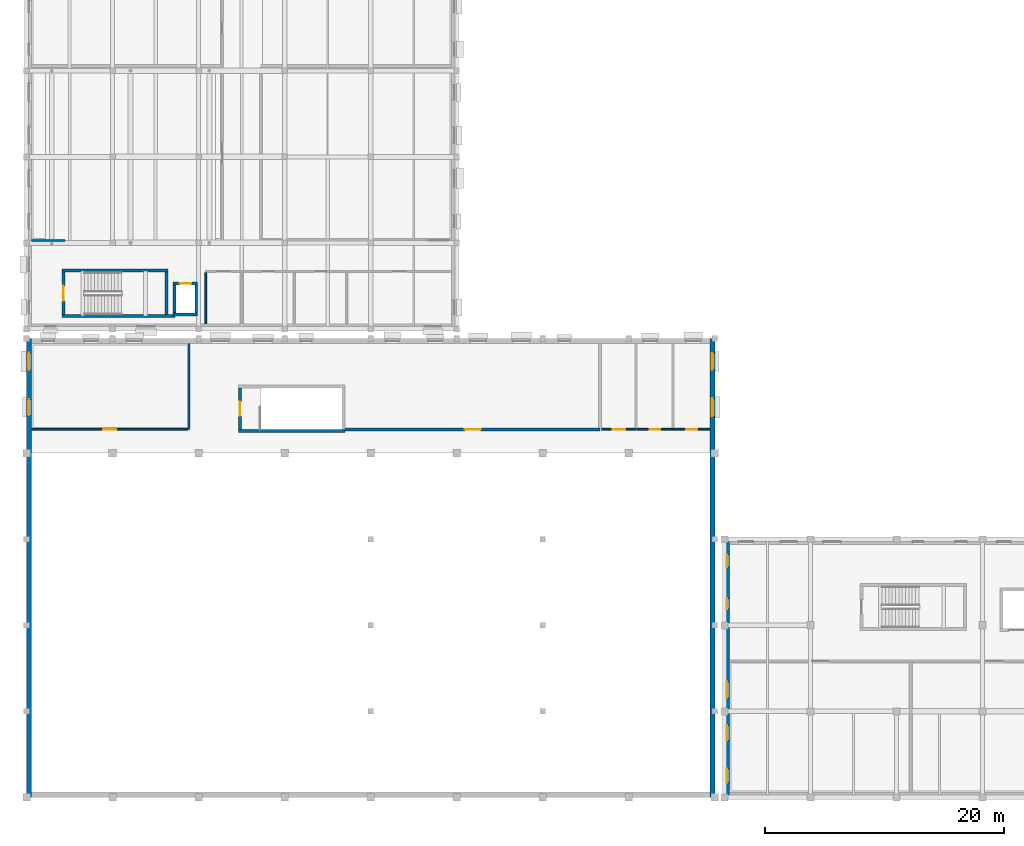
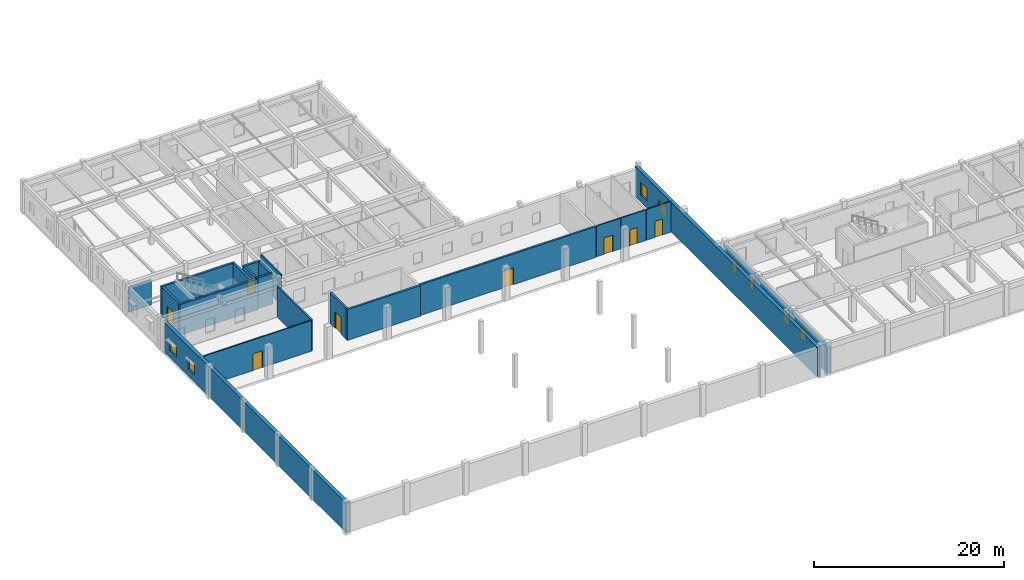
# One storey, part 26 of 49: 21 walls, 9 windows, 8 doors, 17 openings.
"""IFC4 building model written with IfcOpenShell, lengths in metres."""

from ifc_helpers import new_model, si_unit, direction, frame, frame_2d, origin, place, context, subcontext, project, spatial, rectangle, extrude, material, layer, layer_set, type_object, element, fill, save


model = new_model("IFC4")

# Units and contexts
model_context = context("Model", 3, precision=1e-05, world=origin(), true_north=direction((0.0, 1.0)))
body_context = subcontext(model_context, "Body", "Model", "MODEL_VIEW")
ifc_project = project(units=[si_unit("LENGTHUNIT", "METRE"), si_unit("AREAUNIT", "SQUARE_METRE"), si_unit("VOLUMEUNIT", "CUBIC_METRE"), si_unit("PLANEANGLEUNIT", "RADIAN"), si_unit("MASSUNIT", "GRAM", prefix="KILO")], contexts=[model_context])

# Site, building, storey
site_placement = place(None, origin())
site = spatial("IfcSite", under=ifc_project, at=site_placement, CompositionType="ELEMENT")
building_placement = place(site_placement, origin())
building = spatial("IfcBuilding", under=site, at=building_placement, Name="Bramveld Media Centre", CompositionType="ELEMENT")
storey_placement = place(building_placement, frame((0.0, 0.0, 9.60009765625)))
storey = spatial("IfcBuildingStorey", under=building, at=storey_placement, Name="L02", CompositionType="ELEMENT", Elevation=9.60009765625)

# Walls
ifc_material_1 = material(Name="Concrete C40/50 stair & lift core wall", Category="concrete")
ifc_layer_1 = layer(ifc_material_1, 0.25)
ifc_layer_set_1 = layer_set([ifc_layer_1], Name="Concrete C40/50 stair & lift core wall")
wall_type_1 = type_object("IfcWallType", Name="CWALL-SHEAR-250", PredefinedType="SHEAR", material=ifc_layer_set_1)
wall_1_placement = place(storey_placement, frame((2.949951171875, 40.27490234375, 0.0), z_axis=(0.0, 0.0, 1.0), x_axis=(1.0, 0.0, 0.0)))
element("IfcWall", 1, at=wall_1_placement, inside=storey, type_object=wall_type_1, Name="ST-04 L02 stair core shear wall S", PredefinedType="SHEAR", context=body_context, shape_type="SweptSolid", body=[
    extrude(rectangle(XDim=9.469970703125, YDim=0.25, at=frame_2d((4.73486328125, 0.0))), origin(), (0.0, 0.0, 1.0), 3.949951171875),
])
wall_2_placement = place(storey_placement, frame((11.85009765625, 44.074951171875, 0.0), z_axis=(0.0, 0.0, 1.0), x_axis=(-1.0, 0.0, 0.0)))
element("IfcWall", 2, at=wall_2_placement, inside=storey, type_object=wall_type_1, Name="ST-04 L02 stair core shear wall N", PredefinedType="SHEAR", context=body_context, shape_type="SweptSolid", body=[
    extrude(rectangle(XDim=8.900146484375, YDim=0.25, at=frame_2d((4.4501953125, 0.0))), origin(), (0.0, 0.0, 1.0), 3.949951171875),
])

# Wall, opening, door
wall_3_placement = place(storey_placement, frame((3.074951171875, 43.949951171875, 0.0), z_axis=(0.0, 0.0, 1.0), x_axis=(0.0, -1.0, 0.0)))
wall_3 = element("IfcWall", 3, at=wall_3_placement, inside=storey, type_object=wall_type_1, Name="ST-04 L02 stair core shear wall W", PredefinedType="SHEAR", context=body_context, shape_type="SweptSolid", body=[
    extrude(rectangle(XDim=3.550048828125, YDim=0.25, at=frame_2d((1.77490234375, 0.0))), origin(), (0.0, 0.0, 1.0), 3.949951171875),
])
opening_1_placement = place(wall_3_placement, frame((1.14990234375, 0.0, 0.0)))
opening_1 = element("IfcOpeningElement", 4, at=opening_1_placement, cuts=wall_3, Name="Opening SD-04-L02", PredefinedType="OPENING", context=body_context, shape_type="SweptSolid", body=[
    extrude(rectangle(XDim=1.25, YDim=2.14990234375, at=frame_2d((0.625, 1.074951171875))), frame((0.0, 0.136962890625, 0.0), z_axis=(0.0, -1.0, 0.0), x_axis=(1.0, 0.0, 0.0)), (0.0, 0.0, 1.0), 0.27392578125),
])
ifc_material_2 = material(Name="Painted galvanized steel acoustic fire door with intumescent smoke seals", Category="steel")
door_type_1 = type_object("IfcDoorType", Name="DR-ST-1250", OperationType="NOTDEFINED", PredefinedType="DOOR", material=ifc_material_2)
door_1_placement = place(opening_1_placement, origin())
door_1 = element("IfcDoor", 5, at=door_1_placement, inside=storey, type_object=door_type_1, Name="ST-04 L02 pressurized stair fire door", OperationType="SINGLE_SWING_RIGHT", OverallHeight=2.14990234375, OverallWidth=1.25, PredefinedType="DOOR", context=body_context, shape_type="SweptSolid", body=[
    extrude(rectangle(XDim=1.25, YDim=2.14990234375, at=frame_2d((0.625, 1.074951171875))), frame((0.0, 0.02490234375, 0.0), z_axis=(0.0, -1.0, 0.0), x_axis=(1.0, 0.0, 0.0)), (0.0, 0.0, 1.0), 0.050048828125),
])
fill(opening_1, door_1)

# Walls
wall_4_placement = place(storey_placement, frame((11.72509765625, 40.39990234375, 0.0), z_axis=(0.0, 0.0, 1.0), x_axis=(0.0, 1.0, 0.0)))
element("IfcWall", 6, at=wall_4_placement, inside=storey, type_object=wall_type_1, Name="ST-04 L02 stair core shear wall E", PredefinedType="SHEAR", context=body_context, shape_type="SweptSolid", body=[
    extrude(rectangle(XDim=3.550048828125, YDim=0.25, at=frame_2d((1.77490234375, 0.0))), origin(), (0.0, 0.0, 1.0), 3.949951171875),
])
wall_5_placement = place(storey_placement, frame((17.75, 30.675048828125, 0.0), z_axis=(0.0, 0.0, 1.0), x_axis=(1.0, 0.0, 0.0)))
element("IfcWall", 7, at=wall_5_placement, inside=storey, type_object=wall_type_1, Name="ST-05 L02 stair core shear wall S", PredefinedType="SHEAR", context=body_context, shape_type="SweptSolid", body=[
    extrude(rectangle(XDim=8.89990234375, YDim=0.25, at=frame_2d((4.449951171875, 0.0))), origin(), (0.0, 0.0, 1.0), 3.949951171875),
])

# Wall, opening, door
wall_6_placement = place(storey_placement, frame((17.875, 34.25, 0.0), z_axis=(0.0, 0.0, 1.0), x_axis=(0.0, -1.0, 0.0)))
wall_6 = element("IfcWall", 8, at=wall_6_placement, inside=storey, type_object=wall_type_1, Name="ST-05 L02 stair core shear wall W", PredefinedType="SHEAR", context=body_context, shape_type="SweptSolid", body=[
    extrude(rectangle(XDim=3.449951171875, YDim=0.25, at=frame_2d((1.72509765625, 0.0))), origin(), (0.0, 0.0, 1.0), 3.949951171875),
])
opening_2_placement = place(wall_6_placement, frame((1.125, 0.0, 0.0)))
opening_2 = element("IfcOpeningElement", 9, at=opening_2_placement, cuts=wall_6, Name="Opening SD-05-L02", PredefinedType="OPENING", context=body_context, shape_type="SweptSolid", body=[
    extrude(rectangle(XDim=1.199951171875, YDim=2.14990234375, at=frame_2d((0.60009765625, 1.074951171875))), frame((0.0, 0.136962890625, 0.0), z_axis=(0.0, -1.0, 0.0), x_axis=(1.0, 0.0, 0.0)), (0.0, 0.0, 1.0), 0.27392578125),
])
ifc_material_3 = material(Name="Painted galvanized steel acoustic fire door with intumescent smoke seals", Category="steel")
door_type_2 = type_object("IfcDoorType", Name="DR-ST-1200", OperationType="NOTDEFINED", PredefinedType="DOOR", material=ifc_material_3)
door_2_placement = place(opening_2_placement, origin())
door_2 = element("IfcDoor", 10, at=door_2_placement, inside=storey, type_object=door_type_2, Name="ST-05 L02 pressurized stair fire door", OperationType="SINGLE_SWING_LEFT", OverallHeight=2.14990234375, OverallWidth=1.199951171875, PredefinedType="DOOR", context=body_context, shape_type="SweptSolid", body=[
    extrude(rectangle(XDim=1.199951171875, YDim=2.14990234375, at=frame_2d((0.60009765625, 1.074951171875))), frame((0.0, 0.02490234375, 0.0), z_axis=(0.0, -1.0, 0.0), x_axis=(1.0, 0.0, 0.0)), (0.0, 0.0, 1.0), 0.050048828125),
])
fill(opening_2, door_2)

# Wall
wall_7_placement = place(storey_placement, frame((12.27490234375, 40.39990234375, 0.0), z_axis=(0.0, 0.0, 1.0), x_axis=(1.0, 0.0, 0.0)))
element("IfcWall", 11, at=wall_7_placement, inside=storey, type_object=wall_type_1, Name="PL-05 L02 lift shaft wall S", PredefinedType="SHEAR", context=body_context, shape_type="SweptSolid", body=[
    extrude(rectangle(XDim=2.050048828125, YDim=0.25, at=frame_2d((1.02490234375, 0.0))), origin(), (0.0, 0.0, 1.0), 3.949951171875),
])

# Wall, opening, door
wall_8_placement = place(storey_placement, frame((14.324951171875, 43.0, 0.0), z_axis=(0.0, 0.0, 1.0), x_axis=(-1.0, 0.0, 0.0)))
wall_8 = element("IfcWall", 12, at=wall_8_placement, inside=storey, type_object=wall_type_1, Name="PL-05 L02 lift shaft wall N", PredefinedType="SHEAR", context=body_context, shape_type="SweptSolid", body=[
    extrude(rectangle(XDim=2.050048828125, YDim=0.25, at=frame_2d((1.02490234375, 0.0))), origin(), (0.0, 0.0, 1.0), 3.949951171875),
])
opening_3_placement = place(wall_8_placement, frame((0.550048828125, 0.0, 0.0)))
opening_3 = element("IfcOpeningElement", 13, at=opening_3_placement, cuts=wall_8, Name="Opening LD-03-05-L02", PredefinedType="OPENING", context=body_context, shape_type="SweptSolid", body=[
    extrude(rectangle(XDim=0.949951171875, YDim=2.10009765625, at=frame_2d((0.47509765625, 1.050048828125))), frame((0.0, 0.136962890625, 0.0), z_axis=(0.0, -1.0, 0.0), x_axis=(1.0, 0.0, 0.0)), (0.0, 0.0, 1.0), 0.27392578125),
])
ifc_material_4 = material(Name="Brushed stainless steel automatic fire-rated sliding lift landing door", Category="steel")
door_type_3 = type_object("IfcDoorType", Name="LD-TYPE-03", OperationType="SLIDING_TO_LEFT", PredefinedType="DOOR", material=ifc_material_4)
door_3_placement = place(opening_3_placement, origin())
door_3 = element("IfcDoor", 14, at=door_3_placement, inside=storey, type_object=door_type_3, Name="PL-05 L02 sliding lift landing door", OperationType="SLIDING_TO_LEFT", OverallHeight=2.10009765625, OverallWidth=0.949951171875, PredefinedType="DOOR", context=body_context, shape_type="SweptSolid", body=[
    extrude(rectangle(XDim=0.949951171875, YDim=2.10009765625, at=frame_2d((0.47509765625, 1.050048828125))), frame((0.0, 0.02490234375, 0.0), z_axis=(0.0, -1.0, 0.0), x_axis=(1.0, 0.0, 0.0)), (0.0, 0.0, 1.0), 0.050048828125),
])
fill(opening_3, door_3)

# Walls
for number, where, z_axis, x_axis, name in (
    (15, (12.39990234375, 43.0, 0.0), (0.0, 0.0, 1.0), (0.0, -1.0, 0.0), "PL-05 L02 lift shaft wall W"),
    (16, (14.199951171875, 40.39990234375, 0.0), (0.0, 0.0, 1.0), (0.0, 1.0, 0.0), "PL-05 L02 lift shaft wall E"),
):
    element("IfcWall", number, at=place(storey_placement, frame(where, z_axis=z_axis, x_axis=x_axis)), inside=storey, type_object=wall_type_1, Name=name, PredefinedType="SHEAR", context=body_context, shape_type="SweptSolid", body=[
        extrude(rectangle(XDim=2.60009765625, YDim=0.25, at=frame_2d((1.300048828125, 0.0))), origin(), (0.0, 0.0, 1.0), 3.949951171875),
    ])

# Wall, openings, windows
ifc_material_5 = material(Name="Flemish red-brown clay facing brick cavity wall with concrete C35/45 inner leaf", Category="masonry")
ifc_layer_2 = layer(ifc_material_5, 0.419921875)
ifc_layer_set_2 = layer_set([ifc_layer_2], Name="Flemish red-brown clay facing brick cavity wall with concrete C35/45 inner leaf")
wall_type_2 = type_object("IfcWallType", Name="EW-BRK-420", PredefinedType="SOLIDWALL", material=ifc_layer_set_2)
wall_9_placement = place(storey_placement, frame((57.389892578125, 38.39990234375, 0.0), z_axis=(0.0, 0.0, 1.0), x_axis=(0.0, -1.0, 0.0)))
wall_9 = element("IfcWall", 17, at=wall_9_placement, inside=storey, type_object=wall_type_2, Name="V2 L02 E facing brick exterior wall", PredefinedType="SOLIDWALL", context=body_context, shape_type="SweptSolid", body=[
    extrude(rectangle(XDim=38.39990234375, YDim=0.419921875, at=frame_2d((19.199951171875, 0.0))), origin(), (0.0, 0.0, 1.0), 3.824951171875),
])
opening_4_placement = place(wall_9_placement, frame((1.22998046875, 0.0, 0.89990234375)))
opening_4 = element("IfcOpeningElement", 18, at=opening_4_placement, cuts=wall_9, Name="Opening W-17", PredefinedType="OPENING", context=body_context, shape_type="SweptSolid", body=[
    extrude(rectangle(XDim=1.3798828125, YDim=1.60009765625, at=frame_2d((0.68994140625, 0.800048828125))), frame((0.0, 0.221923828125, 0.0), z_axis=(0.0, -1.0, 0.0), x_axis=(1.0, 0.0, 0.0)), (0.0, 0.0, 1.0), 0.44384765625),
])
opening_5_placement = place(wall_9_placement, frame((5.010009765625, 0.0, 0.89990234375)))
opening_5 = element("IfcOpeningElement", 19, at=opening_5_placement, cuts=wall_9, Name="Opening W-18", PredefinedType="OPENING", context=body_context, shape_type="SweptSolid", body=[
    extrude(rectangle(XDim=1.5, YDim=1.60009765625, at=frame_2d((0.75, 0.800048828125))), frame((0.0, 0.221923828125, 0.0), z_axis=(0.0, -1.0, 0.0), x_axis=(1.0, 0.0, 0.0)), (0.0, 0.0, 1.0), 0.44384765625),
])
ifc_material_6 = material(Name="Thermally broken anodized bronze aluminium frame with triple acoustic glazing", Category="aluminium")
window_type_1 = type_object("IfcWindowType", Name="WIN-FAC-17", PartitioningType="SINGLE_PANEL", PredefinedType="WINDOW", material=ifc_material_6)
window_1_placement = place(opening_4_placement, origin())
window_1 = element("IfcWindow", 20, at=window_1_placement, inside=storey, type_object=window_type_1, Name="V2 L02 E acoustic facade window", OverallHeight=1.60009765625, OverallWidth=1.3798828125, PartitioningType="SINGLE_PANEL", PredefinedType="WINDOW", context=body_context, shape_type="SweptSolid", body=[
    extrude(rectangle(XDim=1.3798828125, YDim=1.60009765625, at=frame_2d((0.68994140625, 0.800048828125))), frame((0.0, 0.030029296875, 0.0), z_axis=(0.0, -1.0, 0.0), x_axis=(1.0, 0.0, 0.0)), (0.0, 0.0, 1.0), 0.06005859375),
])
fill(opening_4, window_1)
ifc_material_7 = material(Name="Thermally broken anodized bronze aluminium frame with triple acoustic glazing", Category="aluminium")
window_type_2 = type_object("IfcWindowType", Name="WIN-FAC-18", PartitioningType="SINGLE_PANEL", PredefinedType="WINDOW", material=ifc_material_7)
window_2_placement = place(opening_5_placement, origin())
window_2 = element("IfcWindow", 21, at=window_2_placement, inside=storey, type_object=window_type_2, Name="V2 L02 E acoustic facade window", OverallHeight=1.60009765625, OverallWidth=1.5, PartitioningType="SINGLE_PANEL", PredefinedType="WINDOW", context=body_context, shape_type="SweptSolid", body=[
    extrude(rectangle(XDim=1.5, YDim=1.60009765625, at=frame_2d((0.75, 0.800048828125))), frame((0.0, 0.030029296875, 0.0), z_axis=(0.0, -1.0, 0.0), x_axis=(1.0, 0.0, 0.0)), (0.0, 0.0, 1.0), 0.06005859375),
])
fill(opening_5, window_2)

wall_10_placement = place(storey_placement, frame((0.2099609375, 0.0, 0.0), z_axis=(0.0, 0.0, 1.0), x_axis=(0.0, 1.0, 0.0)))
wall_10 = element("IfcWall", 22, at=wall_10_placement, inside=storey, type_object=wall_type_2, Name="V2 L02 W facing brick exterior wall", PredefinedType="SOLIDWALL", context=body_context, shape_type="SweptSolid", body=[
    extrude(rectangle(XDim=38.39990234375, YDim=0.419921875, at=frame_2d((19.199951171875, 0.0))), origin(), (0.0, 0.0, 1.0), 3.824951171875),
])
opening_6_placement = place(wall_10_placement, frame((31.965087890625, 0.0, 0.89990234375)))
opening_6 = element("IfcOpeningElement", 23, at=opening_6_placement, cuts=wall_10, Name="Opening W-11", PredefinedType="OPENING", context=body_context, shape_type="SweptSolid", body=[
    extrude(rectangle(XDim=1.35009765625, YDim=1.449951171875, at=frame_2d((0.675048828125, 0.72509765625))), frame((0.0, 0.221923828125, 0.0), z_axis=(0.0, -1.0, 0.0), x_axis=(1.0, 0.0, 0.0)), (0.0, 0.0, 1.0), 0.44384765625),
])
opening_7_placement = place(wall_10_placement, frame((35.7548828125, 0.0, 0.89990234375)))
opening_7 = element("IfcOpeningElement", 24, at=opening_7_placement, cuts=wall_10, Name="Opening W-12", PredefinedType="OPENING", context=body_context, shape_type="SweptSolid", body=[
    extrude(rectangle(XDim=1.449951171875, YDim=1.449951171875, at=frame_2d((0.72509765625, 0.72509765625))), frame((0.0, 0.221923828125, 0.0), z_axis=(0.0, -1.0, 0.0), x_axis=(1.0, 0.0, 0.0)), (0.0, 0.0, 1.0), 0.44384765625),
])
ifc_material_8 = material(Name="Thermally broken anodized bronze aluminium frame with triple acoustic glazing", Category="aluminium")
window_type_3 = type_object("IfcWindowType", Name="WIN-FAC-11", PartitioningType="SINGLE_PANEL", PredefinedType="WINDOW", material=ifc_material_8)
window_3_placement = place(opening_6_placement, origin())
window_3 = element("IfcWindow", 25, at=window_3_placement, inside=storey, type_object=window_type_3, Name="V2 L02 W acoustic facade window", OverallHeight=1.449951171875, OverallWidth=1.35009765625, PartitioningType="SINGLE_PANEL", PredefinedType="WINDOW", context=body_context, shape_type="SweptSolid", body=[
    extrude(rectangle(XDim=1.35009765625, YDim=1.449951171875, at=frame_2d((0.675048828125, 0.72509765625))), frame((0.0, 0.030029296875, 0.0), z_axis=(0.0, -1.0, 0.0), x_axis=(1.0, 0.0, 0.0)), (0.0, 0.0, 1.0), 0.06005859375),
])
fill(opening_6, window_3)
ifc_material_9 = material(Name="Thermally broken anodized bronze aluminium frame with triple acoustic glazing", Category="aluminium")
window_type_4 = type_object("IfcWindowType", Name="WIN-FAC-12", PartitioningType="SINGLE_PANEL", PredefinedType="WINDOW", material=ifc_material_9)
window_4_placement = place(opening_7_placement, origin())
window_4 = element("IfcWindow", 26, at=window_4_placement, inside=storey, type_object=window_type_4, Name="V2 L02 W acoustic facade window", OverallHeight=1.449951171875, OverallWidth=1.449951171875, PartitioningType="SINGLE_PANEL", PredefinedType="WINDOW", context=body_context, shape_type="SweptSolid", body=[
    extrude(rectangle(XDim=1.449951171875, YDim=1.449951171875, at=frame_2d((0.72509765625, 0.72509765625))), frame((0.0, 0.030029296875, 0.0), z_axis=(0.0, -1.0, 0.0), x_axis=(1.0, 0.0, 0.0)), (0.0, 0.0, 1.0), 0.06005859375),
])
fill(opening_7, window_4)

wall_11_placement = place(storey_placement, frame((58.610107421875, 0.0, 0.0), z_axis=(0.0, 0.0, 1.0), x_axis=(0.0, 1.0, 0.0)))
wall_11 = element("IfcWall", 27, at=wall_11_placement, inside=storey, type_object=wall_type_2, Name="V5 L02 W facing brick exterior wall", PredefinedType="SOLIDWALL", context=body_context, shape_type="SweptSolid", body=[
    extrude(rectangle(XDim=21.60009765625, YDim=0.419921875, at=frame_2d((10.800048828125, 0.0))), origin(), (0.0, 0.0, 1.0), 3.35498046875),
])
opening_8_placement = place(wall_11_placement, frame((1.22509765625, 0.0, 0.89990234375)))
opening_8 = element("IfcOpeningElement", 28, at=opening_8_placement, cuts=wall_11, Name="Opening W-09", PredefinedType="OPENING", context=body_context, shape_type="SweptSolid", body=[
    extrude(rectangle(XDim=1.14990234375, YDim=1.449951171875, at=frame_2d((0.574951171875, 0.72509765625))), frame((0.0, 0.221923828125, 0.0), z_axis=(0.0, -1.0, 0.0), x_axis=(1.0, 0.0, 0.0)), (0.0, 0.0, 1.0), 0.44384765625),
])
opening_9_placement = place(wall_11_placement, frame((4.77490234375, 0.0, 0.89990234375)))
opening_9 = element("IfcOpeningElement", 29, at=opening_9_placement, cuts=wall_11, Name="Opening W-10", PredefinedType="OPENING", context=body_context, shape_type="SweptSolid", body=[
    extrude(rectangle(XDim=1.25, YDim=1.449951171875, at=frame_2d((0.625, 0.72509765625))), frame((0.0, 0.221923828125, 0.0), z_axis=(0.0, -1.0, 0.0), x_axis=(1.0, 0.0, 0.0)), (0.0, 0.0, 1.0), 0.44384765625),
])
opening_10_placement = place(wall_11_placement, frame((8.324951171875, 0.0, 0.89990234375)))
opening_10 = element("IfcOpeningElement", 30, at=opening_10_placement, cuts=wall_11, Name="Opening W-11", PredefinedType="OPENING", context=body_context, shape_type="SweptSolid", body=[
    extrude(rectangle(XDim=1.35009765625, YDim=1.449951171875, at=frame_2d((0.675048828125, 0.72509765625))), frame((0.0, 0.221923828125, 0.0), z_axis=(0.0, -1.0, 0.0), x_axis=(1.0, 0.0, 0.0)), (0.0, 0.0, 1.0), 0.44384765625),
])
opening_11_placement = place(wall_11_placement, frame((15.75, 0.0, 0.89990234375)))
opening_11 = element("IfcOpeningElement", 31, at=opening_11_placement, cuts=wall_11, Name="Opening W-13", PredefinedType="OPENING", context=body_context, shape_type="SweptSolid", body=[
    extrude(rectangle(XDim=0.89990234375, YDim=1.60009765625, at=frame_2d((0.449951171875, 0.800048828125))), frame((0.0, 0.221923828125, 0.0), z_axis=(0.0, -1.0, 0.0), x_axis=(1.0, 0.0, 0.0)), (0.0, 0.0, 1.0), 0.44384765625),
])
opening_12_placement = place(wall_11_placement, frame((19.27490234375, 0.0, 0.89990234375)))
opening_12 = element("IfcOpeningElement", 32, at=opening_12_placement, cuts=wall_11, Name="Opening W-14", PredefinedType="OPENING", context=body_context, shape_type="SweptSolid", body=[
    extrude(rectangle(XDim=1.050048828125, YDim=1.60009765625, at=frame_2d((0.52490234375, 0.800048828125))), frame((0.0, 0.221923828125, 0.0), z_axis=(0.0, -1.0, 0.0), x_axis=(1.0, 0.0, 0.0)), (0.0, 0.0, 1.0), 0.44384765625),
])
ifc_material_10 = material(Name="Thermally broken anodized bronze aluminium frame with triple acoustic glazing", Category="aluminium")
window_type_5 = type_object("IfcWindowType", Name="WIN-FAC-09", PartitioningType="SINGLE_PANEL", PredefinedType="WINDOW", material=ifc_material_10)
window_5_placement = place(opening_8_placement, origin())
window_5 = element("IfcWindow", 33, at=window_5_placement, inside=storey, type_object=window_type_5, Name="V5 L02 W acoustic facade window", OverallHeight=1.449951171875, OverallWidth=1.14990234375, PartitioningType="SINGLE_PANEL", PredefinedType="WINDOW", context=body_context, shape_type="SweptSolid", body=[
    extrude(rectangle(XDim=1.14990234375, YDim=1.449951171875, at=frame_2d((0.574951171875, 0.72509765625))), frame((0.0, 0.030029296875, 0.0), z_axis=(0.0, -1.0, 0.0), x_axis=(1.0, 0.0, 0.0)), (0.0, 0.0, 1.0), 0.06005859375),
])
fill(opening_8, window_5)
ifc_material_11 = material(Name="Thermally broken anodized bronze aluminium frame with triple acoustic glazing", Category="aluminium")
window_type_6 = type_object("IfcWindowType", Name="WIN-FAC-10", PartitioningType="SINGLE_PANEL", PredefinedType="WINDOW", material=ifc_material_11)
window_6_placement = place(opening_9_placement, origin())
window_6 = element("IfcWindow", 34, at=window_6_placement, inside=storey, type_object=window_type_6, Name="V5 L02 W acoustic facade window", OverallHeight=1.449951171875, OverallWidth=1.25, PartitioningType="SINGLE_PANEL", PredefinedType="WINDOW", context=body_context, shape_type="SweptSolid", body=[
    extrude(rectangle(XDim=1.25, YDim=1.449951171875, at=frame_2d((0.625, 0.72509765625))), frame((0.0, 0.030029296875, 0.0), z_axis=(0.0, -1.0, 0.0), x_axis=(1.0, 0.0, 0.0)), (0.0, 0.0, 1.0), 0.06005859375),
])
fill(opening_9, window_6)
window_7_placement = place(opening_10_placement, origin())
window_7 = element("IfcWindow", 35, at=window_7_placement, inside=storey, type_object=window_type_3, Name="V5 L02 W acoustic facade window", OverallHeight=1.449951171875, OverallWidth=1.35009765625, PartitioningType="SINGLE_PANEL", PredefinedType="WINDOW", context=body_context, shape_type="SweptSolid", body=[
    extrude(rectangle(XDim=1.35009765625, YDim=1.449951171875, at=frame_2d((0.675048828125, 0.72509765625))), frame((0.0, 0.030029296875, 0.0), z_axis=(0.0, -1.0, 0.0), x_axis=(1.0, 0.0, 0.0)), (0.0, 0.0, 1.0), 0.06005859375),
])
fill(opening_10, window_7)
ifc_material_12 = material(Name="Thermally broken anodized bronze aluminium frame with triple acoustic glazing", Category="aluminium")
window_type_7 = type_object("IfcWindowType", Name="WIN-FAC-13", PartitioningType="SINGLE_PANEL", PredefinedType="WINDOW", material=ifc_material_12)
window_8_placement = place(opening_11_placement, origin())
window_8 = element("IfcWindow", 36, at=window_8_placement, inside=storey, type_object=window_type_7, Name="V5 L02 W acoustic facade window", OverallHeight=1.60009765625, OverallWidth=0.89990234375, PartitioningType="SINGLE_PANEL", PredefinedType="WINDOW", context=body_context, shape_type="SweptSolid", body=[
    extrude(rectangle(XDim=0.89990234375, YDim=1.60009765625, at=frame_2d((0.449951171875, 0.800048828125))), frame((0.0, 0.030029296875, 0.0), z_axis=(0.0, -1.0, 0.0), x_axis=(1.0, 0.0, 0.0)), (0.0, 0.0, 1.0), 0.06005859375),
])
fill(opening_11, window_8)
ifc_material_13 = material(Name="Thermally broken anodized bronze aluminium frame with triple acoustic glazing", Category="aluminium")
window_type_8 = type_object("IfcWindowType", Name="WIN-FAC-14", PartitioningType="SINGLE_PANEL", PredefinedType="WINDOW", material=ifc_material_13)
window_9_placement = place(opening_12_placement, origin())
window_9 = element("IfcWindow", 37, at=window_9_placement, inside=storey, type_object=window_type_8, Name="V5 L02 W acoustic facade window", OverallHeight=1.60009765625, OverallWidth=1.050048828125, PartitioningType="SINGLE_PANEL", PredefinedType="WINDOW", context=body_context, shape_type="SweptSolid", body=[
    extrude(rectangle(XDim=1.050048828125, YDim=1.60009765625, at=frame_2d((0.52490234375, 0.800048828125))), frame((0.0, 0.030029296875, 0.0), z_axis=(0.0, -1.0, 0.0), x_axis=(1.0, 0.0, 0.0)), (0.0, 0.0, 1.0), 0.06005859375),
])
fill(opening_12, window_9)

# Wall, opening, door
ifc_material_14 = material(Name="Double-stud acoustic gypsum & mineral-wool studio wall", Category="gypsum")
ifc_layer_3 = layer(ifc_material_14, 0.239990234375)
ifc_layer_set_3 = layer_set([ifc_layer_3], Name="Double-stud acoustic gypsum & mineral-wool studio wall")
wall_type_3 = type_object("IfcWallType", Name="IW-ACOU-240", PredefinedType="PARTITIONING", material=ifc_layer_set_3)
wall_12_placement = place(storey_placement, frame((26.659912109375, 30.800048828125, 0.0), z_axis=(0.0, 0.0, 1.0), x_axis=(1.0, 0.0, 0.0)))
wall_12 = element("IfcWall", 38, at=wall_12_placement, inside=storey, type_object=wall_type_3, Name="Low-Velocity Studio Acoustic Plant Room partition wall", PredefinedType="PARTITIONING", context=body_context, shape_type="SweptSolid", body=[
    extrude(rectangle(XDim=21.340087890625, YDim=0.239990234375, at=frame_2d((10.669921875, 0.0))), origin(), (0.0, 0.0, 1.0), 3.949951171875),
])
opening_13_placement = place(wall_12_placement, frame((10.010009765625, 0.0, 0.0)))
opening_13 = element("IfcOpeningElement", 39, at=opening_13_placement, cuts=wall_12, Name="Opening D-02-102", PredefinedType="OPENING", context=body_context, shape_type="SweptSolid", body=[
    extrude(rectangle(XDim=1.320068359375, YDim=2.14990234375, at=frame_2d((0.66015625, 1.074951171875))), frame((0.0, 0.1318359375, 0.0), z_axis=(0.0, -1.0, 0.0), x_axis=(1.0, 0.0, 0.0)), (0.0, 0.0, 1.0), 0.263916015625),
])
ifc_material_15 = material(Name="Fire-rated acoustic timber & steel composite door", Category="steel")
door_type_4 = type_object("IfcDoorType", Name="DR-PLANT-1320", OperationType="NOTDEFINED", PredefinedType="DOOR", material=ifc_material_15)
door_4_placement = place(opening_13_placement, origin())
door_4 = element("IfcDoor", 40, at=door_4_placement, inside=storey, type_object=door_type_4, Name="Low-Velocity Studio Acoustic Plant Room entrance door", OperationType="SINGLE_SWING_LEFT", OverallHeight=2.14990234375, OverallWidth=1.320068359375, PredefinedType="DOOR", context=body_context, shape_type="SweptSolid", body=[
    extrude(rectangle(XDim=1.320068359375, YDim=2.14990234375, at=frame_2d((0.66015625, 1.074951171875))), frame((0.0, 0.02490234375, 0.0), z_axis=(0.0, -1.0, 0.0), x_axis=(1.0, 0.0, 0.0)), (0.0, 0.0, 1.0), 0.050048828125),
])
fill(opening_13, door_4)

# Walls
ifc_material_16 = material(Name="Fire-rated twin-frame gypsum corridor wall", Category="gypsum")
ifc_layer_4 = layer(ifc_material_16, 0.179931640625)
ifc_layer_set_4 = layer_set([ifc_layer_4], Name="Fire-rated twin-frame gypsum corridor wall")
wall_type_4 = type_object("IfcWallType", Name="IW-FIRE-180", PredefinedType="PARTITIONING", material=ifc_layer_set_4)
wall_13_placement = place(storey_placement, frame((13.60009765625, 30.800048828125, 0.0), z_axis=(0.0, 0.0, 1.0), x_axis=(0.0, 1.0, 0.0)))
element("IfcWall", 41, at=wall_13_placement, inside=storey, type_object=wall_type_4, Name="Stair ST-05 L02 Landing Lobby partition wall", PredefinedType="PARTITIONING", context=body_context, shape_type="SweptSolid", body=[
    extrude(rectangle(XDim=7.169921875, YDim=0.179931640625, at=frame_2d((3.5849609375, 0.0))), origin(), (0.0, 0.0, 1.0), 3.949951171875),
])
wall_14_placement = place(storey_placement, frame((0.429931640625, 46.60009765625, 0.0), z_axis=(0.0, 0.0, 1.0), x_axis=(1.0, 0.0, 0.0)))
element("IfcWall", 42, at=wall_14_placement, inside=storey, type_object=wall_type_4, Name="Stair ST-04 L02 Landing Lobby partition wall", PredefinedType="PARTITIONING", context=body_context, shape_type="SweptSolid", body=[
    extrude(rectangle(XDim=2.77001953125, YDim=0.179931640625, at=frame_2d((1.385009765625, 0.0))), origin(), (0.0, 0.0, 1.0), 3.224853515625),
])

# Wall, opening, door
ifc_material_17 = material(Name="Insulated metal-stud gypsum room partition", Category="gypsum")
ifc_layer_5 = layer(ifc_material_17, 0.14990234375)
ifc_layer_set_5 = layer_set([ifc_layer_5], Name="Insulated metal-stud gypsum room partition")
wall_type_5 = type_object("IfcWallType", Name="IW-PART-150", PredefinedType="PARTITIONING", material=ifc_layer_set_5)
wall_15_placement = place(storey_placement, frame((0.429931640625, 30.800048828125, 0.0), z_axis=(0.0, 0.0, 1.0), x_axis=(1.0, 0.0, 0.0)))
wall_15 = element("IfcWall", 43, at=wall_15_placement, inside=storey, type_object=wall_type_5, Name="Lighting Dimmer & Rigging Control Studio partition wall", PredefinedType="PARTITIONING", context=body_context, shape_type="SweptSolid", body=[
    extrude(rectangle(XDim=13.070068359375, YDim=0.14990234375, at=frame_2d((6.53515625, 0.0))), origin(), (0.0, 0.0, 1.0), 3.949951171875),
])
opening_14_placement = place(wall_15_placement, frame((5.97509765625, 0.0, 0.0)))
opening_14 = element("IfcOpeningElement", 44, at=opening_14_placement, cuts=wall_15, Name="Opening D-02-101", PredefinedType="OPENING", context=body_context, shape_type="SweptSolid", body=[
    extrude(rectangle(XDim=1.1201171875, YDim=2.14990234375, at=frame_2d((0.56005859375, 1.074951171875))), frame((0.0, 0.0869140625, 0.0), z_axis=(0.0, -1.0, 0.0), x_axis=(1.0, 0.0, 0.0)), (0.0, 0.0, 1.0), 0.173828125),
])
ifc_material_18 = material(Name="Solid-core European oak acoustic timber leaf in steel frame", Category="steel")
door_type_5 = type_object("IfcDoorType", Name="DR-RM-1120", OperationType="NOTDEFINED", PredefinedType="DOOR", material=ifc_material_18)
door_5_placement = place(opening_14_placement, origin())
door_5 = element("IfcDoor", 45, at=door_5_placement, inside=storey, type_object=door_type_5, Name="Lighting Dimmer & Rigging Control Studio entrance door", OperationType="SINGLE_SWING_RIGHT", OverallHeight=2.14990234375, OverallWidth=1.1201171875, PredefinedType="DOOR", context=body_context, shape_type="SweptSolid", body=[
    extrude(rectangle(XDim=1.1201171875, YDim=2.14990234375, at=frame_2d((0.56005859375, 1.074951171875))), frame((0.0, 0.02490234375, 0.0), z_axis=(0.0, -1.0, 0.0), x_axis=(1.0, 0.0, 0.0)), (0.0, 0.0, 1.0), 0.050048828125),
])
fill(opening_14, door_5)

ifc_material_19 = material(Name="Moisture-resistant cement-board sanitary partition", Category="gypsum")
ifc_layer_6 = layer(ifc_material_19, 0.139892578125)
ifc_layer_set_6 = layer_set([ifc_layer_6], Name="Moisture-resistant cement-board sanitary partition")
wall_type_6 = type_object("IfcWallType", Name="IW-WET-140", PredefinedType="PARTITIONING", material=ifc_layer_set_6)
wall_16_placement = place(storey_placement, frame((48.1298828125, 30.800048828125, 0.0), z_axis=(0.0, 0.0, 1.0), x_axis=(1.0, 0.0, 0.0)))
wall_16 = element("IfcWall", 46, at=wall_16_placement, inside=storey, type_object=wall_type_6, Name="Accessible WC partition wall", PredefinedType="PARTITIONING", context=body_context, shape_type="SweptSolid", body=[
    extrude(rectangle(XDim=2.8701171875, YDim=0.139892578125, at=frame_2d((1.43505859375, 0.0))), origin(), (0.0, 0.0, 1.0), 3.949951171875),
])
opening_15_placement = place(wall_16_placement, frame((0.905029296875, 0.0, 0.0)))
opening_15 = element("IfcOpeningElement", 47, at=opening_15_placement, cuts=wall_16, Name="Opening D-02-103", PredefinedType="OPENING", context=body_context, shape_type="SweptSolid", body=[
    extrude(rectangle(XDim=1.06005859375, YDim=2.10009765625, at=frame_2d((0.530029296875, 1.050048828125))), frame((0.0, 0.08203125, 0.0), z_axis=(0.0, -1.0, 0.0), x_axis=(1.0, 0.0, 0.0)), (0.0, 0.0, 1.0), 0.163818359375),
])
ifc_material_20 = material(Name="Solid-core European oak acoustic timber leaf in steel frame", Category="steel")
door_type_6 = type_object("IfcDoorType", Name="DR-WC-PMR-1060", OperationType="NOTDEFINED", PredefinedType="DOOR", material=ifc_material_20)
door_6_placement = place(opening_15_placement, origin())
door_6 = element("IfcDoor", 48, at=door_6_placement, inside=storey, type_object=door_type_6, Name="Accessible WC entrance door", OperationType="SINGLE_SWING_RIGHT", OverallHeight=2.10009765625, OverallWidth=1.06005859375, PredefinedType="DOOR", context=body_context, shape_type="SweptSolid", body=[
    extrude(rectangle(XDim=1.06005859375, YDim=2.10009765625, at=frame_2d((0.530029296875, 1.050048828125))), frame((0.0, 0.02490234375, 0.0), z_axis=(0.0, -1.0, 0.0), x_axis=(1.0, 0.0, 0.0)), (0.0, 0.0, 1.0), 0.050048828125),
])
fill(opening_15, door_6)

wall_17_placement = place(storey_placement, frame((51.080078125, 30.800048828125, 0.0), z_axis=(0.0, 0.0, 1.0), x_axis=(1.0, 0.0, 0.0)))
wall_17 = element("IfcWall", 49, at=wall_17_placement, inside=storey, type_object=wall_type_6, Name="Male WC partition wall", PredefinedType="PARTITIONING", context=body_context, shape_type="SweptSolid", body=[
    extrude(rectangle(XDim=3.02001953125, YDim=0.139892578125, at=frame_2d((1.510009765625, 0.0))), origin(), (0.0, 0.0, 1.0), 3.949951171875),
])
opening_16_placement = place(wall_17_placement, frame((1.06494140625, 0.0, 0.0)))
opening_16 = element("IfcOpeningElement", 50, at=opening_16_placement, cuts=wall_17, Name="Opening D-02-104", PredefinedType="OPENING", context=body_context, shape_type="SweptSolid", body=[
    extrude(rectangle(XDim=0.889892578125, YDim=2.050048828125, at=frame_2d((0.44482421875, 1.02490234375))), frame((0.0, 0.08203125, 0.0), z_axis=(0.0, -1.0, 0.0), x_axis=(1.0, 0.0, 0.0)), (0.0, 0.0, 1.0), 0.163818359375),
])
ifc_material_21 = material(Name="Solid-core European oak acoustic timber leaf in steel frame", Category="steel")
door_type_7 = type_object("IfcDoorType", Name="DR-WC-0890", OperationType="NOTDEFINED", PredefinedType="DOOR", material=ifc_material_21)
door_7_placement = place(opening_16_placement, origin())
door_7 = element("IfcDoor", 51, at=door_7_placement, inside=storey, type_object=door_type_7, Name="Male WC entrance door", OperationType="SINGLE_SWING_LEFT", OverallHeight=2.050048828125, OverallWidth=0.889892578125, PredefinedType="DOOR", context=body_context, shape_type="SweptSolid", body=[
    extrude(rectangle(XDim=0.889892578125, YDim=2.050048828125, at=frame_2d((0.44482421875, 1.02490234375))), frame((0.0, 0.02490234375, 0.0), z_axis=(0.0, -1.0, 0.0), x_axis=(1.0, 0.0, 0.0)), (0.0, 0.0, 1.0), 0.050048828125),
])
fill(opening_16, door_7)

wall_18_placement = place(storey_placement, frame((54.179931640625, 30.800048828125, 0.0), z_axis=(0.0, 0.0, 1.0), x_axis=(1.0, 0.0, 0.0)))
wall_18 = element("IfcWall", 52, at=wall_18_placement, inside=storey, type_object=wall_type_6, Name="Female WC partition wall", PredefinedType="PARTITIONING", context=body_context, shape_type="SweptSolid", body=[
    extrude(rectangle(XDim=2.989990234375, YDim=0.139892578125, at=frame_2d((1.4951171875, 0.0))), origin(), (0.0, 0.0, 1.0), 3.949951171875),
])
opening_17_placement = place(wall_18_placement, frame((1.0400390625, 0.0, 0.0)))
opening_17 = element("IfcOpeningElement", 53, at=opening_17_placement, cuts=wall_18, Name="Opening D-02-105", PredefinedType="OPENING", context=body_context, shape_type="SweptSolid", body=[
    extrude(rectangle(XDim=0.909912109375, YDim=2.06005859375, at=frame_2d((0.455078125, 1.030029296875))), frame((0.0, 0.08203125, 0.0), z_axis=(0.0, -1.0, 0.0), x_axis=(1.0, 0.0, 0.0)), (0.0, 0.0, 1.0), 0.163818359375),
])
ifc_material_22 = material(Name="Solid-core European oak acoustic timber leaf in steel frame", Category="steel")
door_type_8 = type_object("IfcDoorType", Name="DR-WC-0910", OperationType="NOTDEFINED", PredefinedType="DOOR", material=ifc_material_22)
door_8_placement = place(opening_17_placement, origin())
door_8 = element("IfcDoor", 54, at=door_8_placement, inside=storey, type_object=door_type_8, Name="Female WC entrance door", OperationType="SINGLE_SWING_RIGHT", OverallHeight=2.06005859375, OverallWidth=0.909912109375, PredefinedType="DOOR", context=body_context, shape_type="SweptSolid", body=[
    extrude(rectangle(XDim=0.909912109375, YDim=2.06005859375, at=frame_2d((0.455078125, 1.030029296875))), frame((0.0, 0.02490234375, 0.0), z_axis=(0.0, -1.0, 0.0), x_axis=(1.0, 0.0, 0.0)), (0.0, 0.0, 1.0), 0.050048828125),
])
fill(opening_17, door_8)

# Wall
wall_19_placement = place(storey_placement, frame((15.0, 39.6298828125, 0.0), z_axis=(0.0, 0.0, 1.0), x_axis=(0.0, 1.0, 0.0)))
element("IfcWall", 55, at=wall_19_placement, inside=storey, type_object=wall_type_6, Name="Accessible WC partition wall", PredefinedType="PARTITIONING", context=body_context, shape_type="SweptSolid", body=[
    extrude(rectangle(XDim=4.2900390625, YDim=0.139892578125, at=frame_2d((2.14501953125, 0.0))), origin(), (0.0, 0.0, 1.0), 3.949951171875),
])

save(model, "model.ifc")
